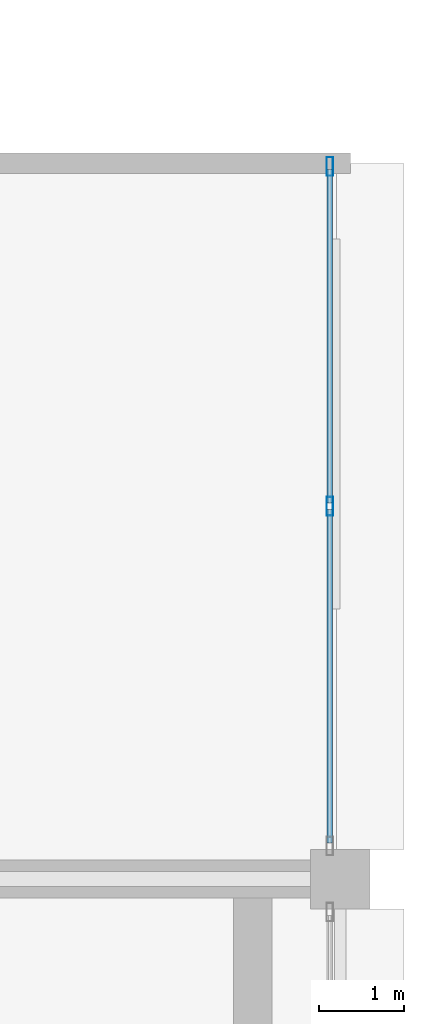
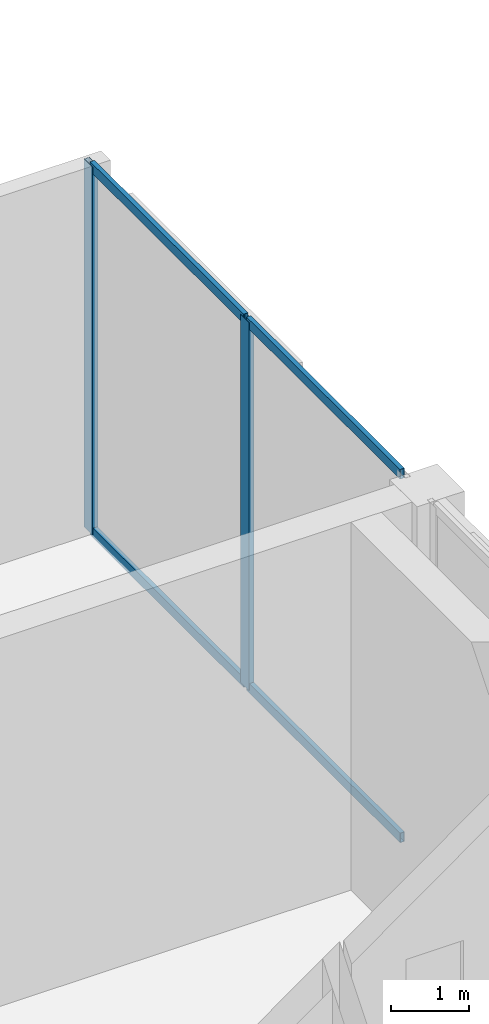
# One storey, part 11 of 19: 6 members, 1 element without a shape of its own.
"""IFC4 building model written with IfcOpenShell, lengths in metres."""

from ifc_helpers import new_model, si_unit, direction, frame, origin, origin_2d, place, context, subcontext, project, spatial, hollow_rectangle, extrude, material, layer, layer_set, material_profile, profile_set, type_object, element, aggregate, save


model = new_model("IFC4")

# Units and contexts
model_context = context("Model", 3, precision=1e-05, world=origin(), true_north=direction((0.0, 1.0)))
body_context = subcontext(model_context, "Body", "Model", "MODEL_VIEW")
ifc_project = project(units=[si_unit("LENGTHUNIT", "METRE"), si_unit("AREAUNIT", "SQUARE_METRE"), si_unit("VOLUMEUNIT", "CUBIC_METRE"), si_unit("PLANEANGLEUNIT", "RADIAN"), si_unit("MASSUNIT", "GRAM", prefix="KILO")], contexts=[model_context])

# Site, building, storey
site_placement = place(None, origin())
site = spatial("IfcSite", under=ifc_project, at=site_placement, CompositionType="ELEMENT")
building_placement = place(site_placement, origin())
building = spatial("IfcBuilding", under=site, at=building_placement, Name="Nerrivon Quay Data Exchange", CompositionType="ELEMENT")
storey_placement = place(building_placement, frame((0.0, 0.0, 327.0)))
storey = spatial("IfcBuildingStorey", under=building, at=storey_placement, Name="L78", CompositionType="ELEMENT", Elevation=327.0)

# Curtain wall, members
ifc_material = material(Name="Anodised aluminium 6063-T6", Category="aluminium")
ifc_layer = layer(ifc_material, 0.22998046875)
ifc_layer_set = layer_set([ifc_layer], Name="Anodised aluminium 6063-T6")
curtain_wall_type = type_object("IfcCurtainWallType", Name="CW-SYS-05", PredefinedType="NOTDEFINED", material=ifc_layer_set)
curtain_wall_placement = place(storey_placement, origin())
curtain_wall = element("IfcCurtainWall", 1, at=curtain_wall_placement, inside=storey, type_object=curtain_wall_type, Name="L78 Crown Curtain Wall 1", PredefinedType="NOTDEFINED")
ifc_material_profile_1 = material_profile(ifc_material, hollow_rectangle(XDim=0.074951171875, YDim=0.219970703125, WallThickness=0.00390625, at=origin_2d()), Name="ALU-MULL-220x75")
ifc_profile_set_1 = profile_set([ifc_material_profile_1], Name="Anodised aluminium 6063-T6")
member_type_1 = type_object("IfcMemberType", Name="CWM-220x75", PredefinedType="MULLION", material=ifc_profile_set_1)
member_1_placement = place(storey_placement, frame((33.47998046875, 25.16259765625, 0.0), z_axis=(0.0, 0.0, 1.0), x_axis=(1.0, 0.0, 0.0)))
member_1 = element("IfcMember", 2, at=member_1_placement, type_object=member_type_1, Name="CW05 mullion 1", PredefinedType="MULLION", context=body_context, shape_type="SweptSolid", body=[
    extrude(hollow_rectangle(XDim=0.074951171875, YDim=0.219970703125, WallThickness=0.00390625, at=origin_2d()), origin(), (0.0, 0.0, 1.0), 5.72509765625),
])
member_2_placement = place(storey_placement, frame((33.47998046875, 21.175048828125, 0.0), z_axis=(0.0, 0.0, 1.0), x_axis=(1.0, 0.0, 0.0)))
member_2 = element("IfcMember", 3, at=member_2_placement, type_object=member_type_1, Name="CW05 mullion 2", PredefinedType="MULLION", context=body_context, shape_type="SweptSolid", body=[
    extrude(hollow_rectangle(XDim=0.074951171875, YDim=0.219970703125, WallThickness=0.00390625, at=origin_2d()), origin(), (0.0, 0.0, 1.0), 5.72509765625),
])
ifc_material_profile_2 = material_profile(ifc_material, hollow_rectangle(XDim=0.06494140625, YDim=0.14990234375, WallThickness=0.00341796875, at=origin_2d()), Name="ALU-TRAN-150x65")
ifc_profile_set_2 = profile_set([ifc_material_profile_2], Name="Anodised aluminium 6063-T6")
member_type_2 = type_object("IfcMemberType", Name="CWT-150x65", PredefinedType="USERDEFINED", material=ifc_profile_set_2)
member_3_placement = place(storey_placement, frame((33.47998046875, 25.125, 0.032470703125), z_axis=(0.0, -1.0, 0.0), x_axis=(1.0, 0.0, 0.0)))
member_3 = element("IfcMember", 4, at=member_3_placement, type_object=member_type_2, Name="CW05 transom 1.1", ObjectType="TRANSOM", PredefinedType="USERDEFINED", context=body_context, shape_type="SweptSolid", body=[
    extrude(hollow_rectangle(XDim=0.06494140625, YDim=0.14990234375, WallThickness=0.00341796875, at=origin_2d()), origin(), (0.0, 0.0, 1.0), 3.91259765625),
])
member_4_placement = place(storey_placement, frame((33.47998046875, 25.125, 5.6923828125), z_axis=(0.0, -1.0, 0.0), x_axis=(1.0, 0.0, 0.0)))
member_4 = element("IfcMember", 5, at=member_4_placement, type_object=member_type_2, Name="CW05 transom 1.2", ObjectType="TRANSOM", PredefinedType="USERDEFINED", context=body_context, shape_type="SweptSolid", body=[
    extrude(hollow_rectangle(XDim=0.06494140625, YDim=0.14990234375, WallThickness=0.00341796875, at=origin_2d()), origin(), (0.0, 0.0, 1.0), 3.91259765625),
])
member_5_placement = place(storey_placement, frame((33.47998046875, 21.137451171875, 0.032470703125), z_axis=(0.0, -1.0, 0.0), x_axis=(1.0, 0.0, 0.0)))
member_5 = element("IfcMember", 6, at=member_5_placement, type_object=member_type_2, Name="CW05 transom 2.1", ObjectType="TRANSOM", PredefinedType="USERDEFINED", context=body_context, shape_type="SweptSolid", body=[
    extrude(hollow_rectangle(XDim=0.06494140625, YDim=0.14990234375, WallThickness=0.00341796875, at=origin_2d()), origin(), (0.0, 0.0, 1.0), 3.912353515625),
])
member_6_placement = place(storey_placement, frame((33.47998046875, 21.137451171875, 5.6923828125), z_axis=(0.0, -1.0, 0.0), x_axis=(1.0, 0.0, 0.0)))
member_6 = element("IfcMember", 7, at=member_6_placement, type_object=member_type_2, Name="CW05 transom 2.2", ObjectType="TRANSOM", PredefinedType="USERDEFINED", context=body_context, shape_type="SweptSolid", body=[
    extrude(hollow_rectangle(XDim=0.06494140625, YDim=0.14990234375, WallThickness=0.00341796875, at=origin_2d()), origin(), (0.0, 0.0, 1.0), 3.912353515625),
])
aggregate(curtain_wall, [member_1, member_2, member_3, member_4, member_5, member_6])

save(model, "model.ifc")
